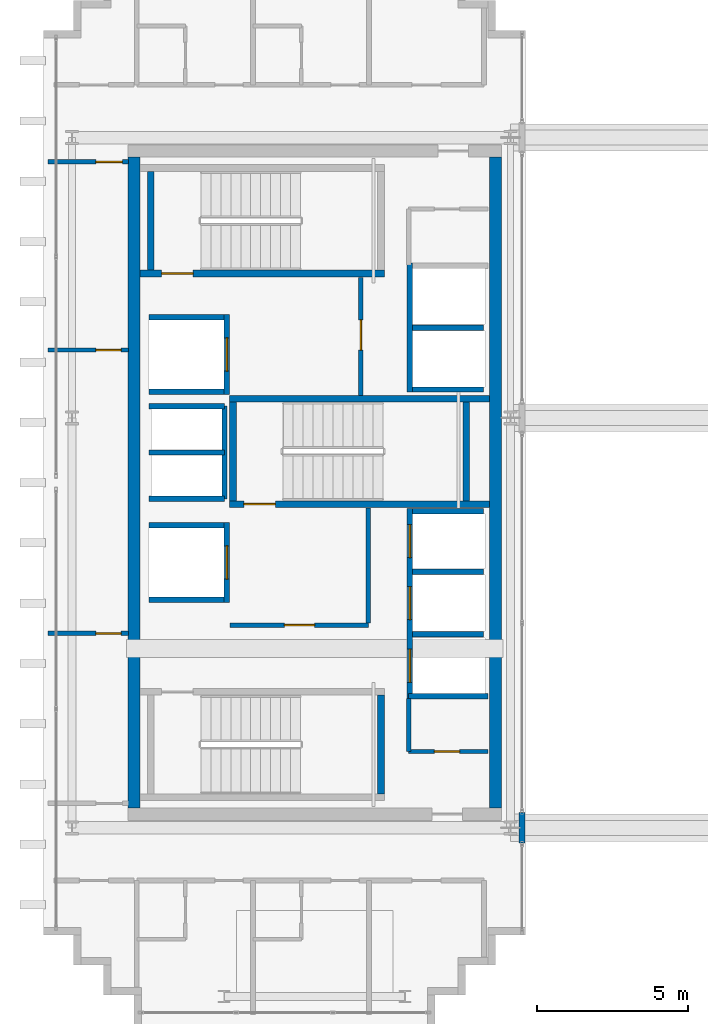
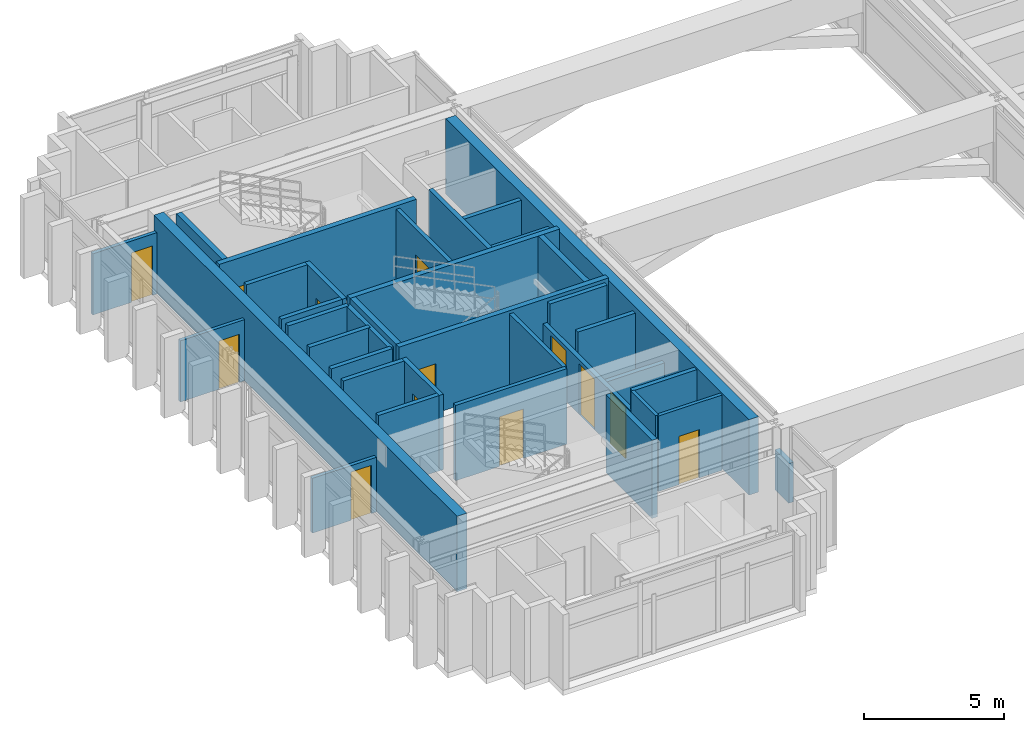
# One storey, part 23 of 28: 36 walls, 13 doors, 13 openings.
"""IFC4 building model written with IfcOpenShell, lengths in metres."""

import ifcopenshell
import ifcopenshell.guid

model = None  # the IFC model being written
_history = None  # IfcOwnerHistory: only IFC2X3 demands one
_inside = {}  # id of a spatial element -> (the spatial element, [elements in it])
_under = {}  # id of a project, library or spatial element -> (it, [spatial elements below it])
_declared = {}  # id of a project -> (the project, [libraries it declares])
_typed = {}  # id of a type object -> (the type object, [elements of that type])
_made_of = {}  # id of a material, layer set ... -> (it, [elements and type objects made of it])


def new_model(schema):
    """Start an empty IFC model of exactly this schema.

    Asked for "IFC4X3", IfcOpenShell would pick the latest addendum, in which some entities
    have other attributes; the version numbers below select the first issue.
    IFC2X3 requires an IfcOwnerHistory on every rooted entity: one is made here for all.
    """
    global model, _history
    if schema == "IFC4X3":
        model = ifcopenshell.file(schema_version=(4, 3, 0, 0))
    else:
        model = ifcopenshell.file(schema=schema)
    _inside.clear()
    _under.clear()
    _declared.clear()
    _typed.clear()
    _made_of.clear()
    _history = None
    if model.schema == "IFC2X3":
        org = make("IfcOrganization", Name="unknown")
        user = make(
            "IfcPersonAndOrganization",
            ThePerson=make("IfcPerson", FamilyName="unknown"),
            TheOrganization=org,
        )
        app = make(
            "IfcApplication",
            ApplicationDeveloper=org,
            Version="unknown",
            ApplicationFullName="unknown",
            ApplicationIdentifier="unknown",
        )
        _history = make(
            "IfcOwnerHistory",
            OwningUser=user,
            OwningApplication=app,
            ChangeAction="ADDED",
            CreationDate=0,
        )
    return model


def make(cls, **values):
    """One entity of the class cls with the attributes given. An attribute that is None is left unset."""
    return model.create_entity(
        cls, **{name: value for name, value in values.items() if value is not None}
    )


def rooted(cls, **values):
    """An entity with a GlobalId (a new one), such as an element, a storey or a relation."""
    return make(cls, GlobalId=ifcopenshell.guid.new(), OwnerHistory=_history, **values)


def si_unit(unit_type, name, prefix=None):
    """IfcSIUnit, for example si_unit("LENGTHUNIT", "METRE", prefix="MILLI")."""
    return make("IfcSIUnit", UnitType=unit_type, Prefix=prefix, Name=name)


def assignment(units):
    """IfcUnitAssignment: the units of a project."""
    return None if units is None else make("IfcUnitAssignment", Units=units)


def point(xyz):
    """IfcCartesianPoint."""
    return None if xyz is None else make("IfcCartesianPoint", Coordinates=xyz)


def direction(xyz):
    """IfcDirection."""
    return None if xyz is None else make("IfcDirection", DirectionRatios=xyz)


def frame(location, z_axis=None, x_axis=None):
    """IfcAxis2Placement3D, a coordinate frame: its origin and axes. An axis left out is left unset."""
    return make(
        "IfcAxis2Placement3D",
        Location=point(location),
        Axis=direction(z_axis),
        RefDirection=direction(x_axis),
    )


def frame_2d(location, x_axis=None):
    """IfcAxis2Placement2D, a coordinate frame in the plane: its origin and x axis."""
    return make(
        "IfcAxis2Placement2D", Location=point(location), RefDirection=direction(x_axis)
    )


def origin():
    """The frame at (0, 0, 0) with its axes left unset."""
    return frame((0.0, 0.0, 0.0))


def place(relative_to, where):
    """IfcLocalPlacement: puts the frame where relative to a parent placement (None: the world)."""
    return make(
        "IfcLocalPlacement", PlacementRelTo=relative_to, RelativePlacement=where
    )


def context(
    kind, dimensions, precision=None, world=None, true_north=None, identifier=None
):
    """IfcGeometricRepresentationContext, for example the 3D "Model" context."""
    return make(
        "IfcGeometricRepresentationContext",
        ContextIdentifier=identifier,
        ContextType=kind,
        CoordinateSpaceDimension=dimensions,
        Precision=precision,
        WorldCoordinateSystem=world,
        TrueNorth=true_north,
    )


def subcontext(parent, identifier, kind, view, scale=None):
    """IfcGeometricRepresentationSubContext, for example "Body" below "Model"."""
    return make(
        "IfcGeometricRepresentationSubContext",
        ContextIdentifier=identifier,
        ContextType=kind,
        ParentContext=parent,
        TargetScale=scale,
        TargetView=view,
    )


def project(units=None, contexts=None):
    """IfcProject with its units and contexts."""
    return rooted(
        "IfcProject",
        Name="project",
        RepresentationContexts=contexts,
        UnitsInContext=assignment(units),
    )


def spatial(cls, under=None, at=None, **own):
    """A site, building, storey or space (cls), placed at a placement, below another one or the project."""
    s = rooted(cls, ObjectPlacement=at, **own)
    if under is not None:
        _under.setdefault(under.id(), (under, []))[1].append(s)
    return s


def profile(cls, at=None, kind="AREA", **sizes):
    """A parametric profile (cls). Its sizes go by their IFC names, for example OverallWidth=200.0."""
    return make(cls, ProfileType=kind, Position=at, **sizes)


def rectangle(**sizes):
    """IfcRectangleProfileDef."""
    return profile("IfcRectangleProfileDef", **sizes)


def extrude(swept, where, along, depth):
    """IfcExtrudedAreaSolid: the profile swept, set in the frame where, extruded along a direction by depth."""
    return make(
        "IfcExtrudedAreaSolid",
        SweptArea=swept,
        Position=where,
        ExtrudedDirection=direction(along),
        Depth=depth,
    )


def shape(context_of_items, identifier, shape_type, items):
    """IfcShapeRepresentation: the items that make up one representation, for example the "Body"."""
    return make(
        "IfcShapeRepresentation",
        ContextOfItems=context_of_items,
        RepresentationIdentifier=identifier,
        RepresentationType=shape_type,
        Items=items,
    )


def source(mapping_origin, context_of_items, identifier, shape_type, items):
    """IfcRepresentationMap: a shape defined once, which mapped items show again and again."""
    return make(
        "IfcRepresentationMap",
        MappingOrigin=mapping_origin,
        MappedRepresentation=shape(context_of_items, identifier, shape_type, items),
    )


def transform(
    local_origin,
    x_axis=None,
    y_axis=None,
    z_axis=None,
    scale=None,
    scale2=None,
    scale3=None,
    uniform=True,
):
    """IfcCartesianTransformationOperator3D, or its non-uniform kind. x_axis, y_axis, z_axis: its Axis1, 2, 3."""
    if uniform:
        return make(
            "IfcCartesianTransformationOperator3D",
            Axis1=direction(x_axis),
            Axis2=direction(y_axis),
            LocalOrigin=point(local_origin),
            Scale=scale,
            Axis3=direction(z_axis),
        )
    return make(
        "IfcCartesianTransformationOperator3DnonUniform",
        Axis1=direction(x_axis),
        Axis2=direction(y_axis),
        LocalOrigin=point(local_origin),
        Scale=scale,
        Axis3=direction(z_axis),
        Scale2=scale2,
        Scale3=scale3,
    )


def mapped(mapping_source, mapping_target):
    """IfcMappedItem: shows the shape of a source again, moved by a transform."""
    return make(
        "IfcMappedItem", MappingSource=mapping_source, MappingTarget=mapping_target
    )


def material(Name=None, Category=None):
    """IfcMaterial."""
    return make("IfcMaterial", Name=Name, Category=Category)


def layer(
    of_material, thickness, ventilated=None, Name=None, Category=None, Priority=None
):
    """IfcMaterialLayer: one layer of a wall or slab, of a material (None: an air gap)."""
    return make(
        "IfcMaterialLayer",
        Material=of_material,
        LayerThickness=thickness,
        IsVentilated=ventilated,
        Name=Name,
        Category=Category,
        Priority=Priority,
    )


def layer_set(layers, Name=None):
    """IfcMaterialLayerSet."""
    return make("IfcMaterialLayerSet", MaterialLayers=layers, LayerSetName=Name)


def made_of(thing, what):
    """Note that an element or type object is made of a material, layer set ...; save() writes the relation."""
    if what is not None:
        _made_of.setdefault(what.id(), (what, []))[1].append(thing)
    return thing


def type_object(cls, material=None, **own):
    """A type object (cls), such as IfcWallType, which elements share."""
    return made_of(rooted(cls, **own), material)


def element(
    cls,
    number,
    at=None,
    inside=None,
    cuts=None,
    type_object=None,
    material=None,
    context=None,
    identifier="Body",
    shape_type=None,
    held_by="IfcProductDefinitionShape",
    body=None,
    shapes=None,
    **own,
):
    """One element of the class cls, such as IfcWall. Its Tag is "e" and its number.

    at: its placement. inside: the storey or other place that contains it. cuts: it is an
    opening in that element (IfcRelVoidsElement). A single representation is given by context,
    identifier, shape_type and body (its items); several are given by shapes. held_by: the class
    of the entity that holds the representations. save() writes the other relations.
    """
    e = rooted(cls, Tag="e%d" % number, ObjectPlacement=at, **own)
    if body is not None:
        shapes = [shape(context, identifier, shape_type, body)]
    if shapes is not None:
        e.Representation = make(held_by, Representations=shapes)
    if inside is not None:
        _inside.setdefault(inside.id(), (inside, []))[1].append(e)
    if cuts is not None:
        rooted(
            "IfcRelVoidsElement", RelatingBuildingElement=cuts, RelatedOpeningElement=e
        )
    if type_object is not None:
        _typed.setdefault(type_object.id(), (type_object, []))[1].append(e)
    return made_of(e, material)


def fill(opening, filler):
    """IfcRelFillsElement: the door or window that sits in an opening."""
    return rooted(
        "IfcRelFillsElement",
        RelatingOpeningElement=opening,
        RelatedBuildingElement=filler,
    )


def aggregate(whole, parts):
    """IfcRelAggregates: a whole, such as a stair, and the parts it consists of."""
    return rooted("IfcRelAggregates", RelatingObject=whole, RelatedObjects=parts)


def save(model, path):
    """Write the relations noted so far, then the file.

    IfcRelAggregates (storeys below a building ...), IfcRelContainedInSpatialStructure (elements
    in a storey), IfcRelDefinesByType, IfcRelAssociatesMaterial and IfcRelDeclares: one each for
    every whole, place, type object, material and project.
    """
    for whole, parts in _under.values():
        aggregate(whole, parts)
    for where, things in _inside.values():
        rooted(
            "IfcRelContainedInSpatialStructure",
            RelatedElements=things,
            RelatingStructure=where,
        )
    for kind, things in _typed.values():
        rooted("IfcRelDefinesByType", RelatedObjects=things, RelatingType=kind)
    for what, things in _made_of.values():
        rooted("IfcRelAssociatesMaterial", RelatedObjects=things, RelatingMaterial=what)
    for by, libraries in _declared.values():
        rooted("IfcRelDeclares", RelatingContext=by, RelatedDefinitions=libraries)
    model.write(path)


model = new_model("IFC4")

# Units and contexts
model_context = context("Model", 3, precision=1e-05, world=origin(), true_north=direction((0.0, 1.0)))
body_context = subcontext(model_context, "Body", "Model", "MODEL_VIEW")
ifc_project = project(units=[si_unit("LENGTHUNIT", "METRE"), si_unit("AREAUNIT", "SQUARE_METRE"), si_unit("VOLUMEUNIT", "CUBIC_METRE"), si_unit("PLANEANGLEUNIT", "RADIAN"), si_unit("MASSUNIT", "GRAM", prefix="KILO")], contexts=[model_context])

# Site, building, storey
site_placement = place(None, origin())
site = spatial("IfcSite", under=ifc_project, at=site_placement, CompositionType="ELEMENT")
building_placement = place(site_placement, origin())
building = spatial("IfcBuilding", under=site, at=building_placement, Name="Ocotamira Hotel", CompositionType="ELEMENT")
storey_placement = place(building_placement, frame((0.0, 0.0, 268.800048828125)))
storey = spatial("IfcBuildingStorey", under=building, at=storey_placement, Name="L68", CompositionType="ELEMENT", Elevation=268.800048828125)

# Walls
ifc_material_1 = material(Name="Concrete C50/60", Category="concrete")
ifc_layer_1 = layer(ifc_material_1, 0.39990234375)
ifc_layer_set_1 = layer_set([ifc_layer_1], Name="Concrete C50/60")
wall_type_1 = type_object("IfcWallType", Name="WL-CORE-400", PredefinedType="SHEAR", material=ifc_layer_set_1)
for number, where, z_axis, x_axis, name in (
    (1, (11.0, 15.199951171875, 0.0), (0.0, 0.0, 1.0), (0.0, 1.0, 0.0), "L68 Shear Core Wall WCORE-W"),
    (2, (23.0, 15.199951171875, 0.0), (0.0, 0.0, 1.0), (0.0, 1.0, 0.0), "L68 Shear Core Wall WCORE-E"),
):
    element("IfcWall", number, at=place(storey_placement, frame(where, z_axis=z_axis, x_axis=x_axis)), inside=storey, type_object=wall_type_1, Name=name, PredefinedType="SHEAR", context=body_context, shape_type="SweptSolid", body=[
        extrude(rectangle(XDim=21.60009765625, YDim=0.39990234375, at=frame_2d((10.800048828125, 0.0))), origin(), (0.0, 0.0, 1.0), 3.280029296875),
    ])

# Wall, opening, door
ifc_material_2 = material(Name="Acoustic double-layer fire gypsum board partition", Category="gypsum")
ifc_layer_2 = layer(ifc_material_2, 0.159912109375)
ifc_layer_set_2 = layer_set([ifc_layer_2], Name="Acoustic double-layer fire gypsum board partition")
wall_type_2 = type_object("IfcWallType", Name="WL-FIRE-160", PredefinedType="PARTITIONING", material=ifc_layer_set_2)
wall_1_placement = place(storey_placement, frame((14.199951171875, 21.27001953125, 0.0), z_axis=(0.0, 0.0, 1.0), x_axis=(1.0, 0.0, 0.0)))
wall_1 = element("IfcWall", 3, at=wall_1_placement, inside=storey, type_object=wall_type_2, Name="L68 Interior Wall PW-L68-FSAE1-S", PredefinedType="PARTITIONING", context=body_context, shape_type="SweptSolid", body=[
    extrude(rectangle(XDim=4.580078125, YDim=0.159912109375, at=frame_2d((2.2900390625, 0.0))), origin(), (0.0, 0.0, 1.0), 3.280029296875),
])
opening_1_placement = place(wall_1_placement, frame((1.800048828125, 0.0, 0.0)))
opening_1 = element("IfcOpeningElement", 4, at=opening_1_placement, cuts=wall_1, Name="Opening D-FR2", PredefinedType="OPENING", context=body_context, shape_type="SweptSolid", body=[
    extrude(rectangle(XDim=1.0, YDim=2.14990234375, at=frame_2d((0.5, 1.074951171875))), frame((0.0, 0.08984375, 0.0), z_axis=(0.0, -1.0, 0.0), x_axis=(1.0, 0.0, 0.0)), (0.0, 0.0, 1.0), 0.179931640625),
])
ifc_material_3 = material(Name="Fire-rated acoustic timber-veneer door", Category="wood")
door_type_1 = type_object("IfcDoorType", Name="DR-FIRE-1000", OperationType="NOTDEFINED", PredefinedType="DOOR", material=ifc_material_3)
shared_shape_1 = source(origin(), body_context, "Body", "SweptSolid", [
    extrude(rectangle(XDim=1.0, YDim=2.14990234375, at=frame_2d((0.5, 1.074951171875))), frame((0.0, 0.02490234375, 0.0), z_axis=(0.0, -1.0, 0.0), x_axis=(1.0, 0.0, 0.0)), (0.0, 0.0, 1.0), 0.050048828125),
])
door_1_placement = place(opening_1_placement, origin())
door_1 = element("IfcDoor", 5, at=door_1_placement, inside=storey, type_object=door_type_1, Name="L68 Door ID-L68-FSAE1-D [ID-L68-FSAE1-D]", OperationType="SINGLE_SWING_LEFT", OverallHeight=2.14990234375, OverallWidth=1.0, PredefinedType="DOOR", context=body_context, shape_type="MappedRepresentation", body=[
    mapped(shared_shape_1, transform((0.0, 0.0, 0.0), scale=1.0)),
])
fill(opening_1, door_1)

# Wall
wall_2_placement = place(storey_placement, frame((18.780029296875, 21.35009765625, 0.0), z_axis=(0.0, 0.0, 1.0), x_axis=(0.0, 1.0, 0.0)))
element("IfcWall", 6, at=wall_2_placement, inside=storey, type_object=wall_type_2, Name="L68 Interior Wall PW-L68-FSAE1-E", PredefinedType="PARTITIONING", context=body_context, shape_type="SweptSolid", body=[
    extrude(rectangle(XDim=3.809814453125, YDim=0.159912109375, at=frame_2d((1.90478515625, 0.0))), origin(), (0.0, 0.0, 1.0), 3.280029296875),
])

# Wall, opening, door
wall_3_placement = place(storey_placement, frame((18.530029296875, 28.89990234375, 0.0), z_axis=(0.0, 0.0, 1.0), x_axis=(0.0, 1.0, 0.0)))
wall_3 = element("IfcWall", 7, at=wall_3_placement, inside=storey, type_object=wall_type_2, Name="L68 Interior Wall PW-L68-FSAE2-E", PredefinedType="PARTITIONING", context=body_context, shape_type="SweptSolid", body=[
    extrude(rectangle(XDim=3.900146484375, YDim=0.159912109375, at=frame_2d((1.9501953125, 0.0))), origin(), (0.0, 0.0, 1.0), 3.280029296875),
])
opening_2_placement = place(wall_3_placement, frame((1.5, 0.0, 0.0)))
opening_2 = element("IfcOpeningElement", 8, at=opening_2_placement, cuts=wall_3, Name="Opening D-FR2", PredefinedType="OPENING", context=body_context, shape_type="SweptSolid", body=[
    extrude(rectangle(XDim=1.0, YDim=2.14990234375, at=frame_2d((0.5, 1.074951171875))), frame((0.0, 0.08984375, 0.0), z_axis=(0.0, -1.0, 0.0), x_axis=(1.0, 0.0, 0.0)), (0.0, 0.0, 1.0), 0.179931640625),
])
door_2_placement = place(opening_2_placement, origin())
door_2 = element("IfcDoor", 9, at=door_2_placement, inside=storey, type_object=door_type_1, Name="L68 Door ID-L68-FSAE2-D [ID-L68-FSAE2-D]", OperationType="SINGLE_SWING_RIGHT", OverallHeight=2.14990234375, OverallWidth=1.0, PredefinedType="DOOR", context=body_context, shape_type="MappedRepresentation", body=[
    mapped(shared_shape_1, transform((0.0, 0.0, 0.0), scale=1.0)),
])
fill(opening_2, door_2)

# Walls
ifc_material_4 = material(Name="Precast concrete C45/55", Category="concrete")
ifc_layer_3 = layer(ifc_material_4, 0.219970703125)
ifc_layer_set_3 = layer_set([ifc_layer_3], Name="Precast concrete C45/55")
wall_type_3 = type_object("IfcWallType", Name="WL-PARA-220", PredefinedType="PARAPET", material=ifc_layer_set_3)
wall_4_placement = place(storey_placement, frame((23.8798828125, 14.050048828125, 0.0), z_axis=(0.0, 0.0, 1.0), x_axis=(0.0, 1.0, 0.0)))
element("IfcWall", 10, at=wall_4_placement, inside=storey, type_object=wall_type_3, Name="L68 Split-Wing Column Spandrel Closure W1", PredefinedType="PARAPET", context=body_context, shape_type="SweptSolid", body=[
    extrude(rectangle(XDim=1.0, YDim=0.199951171875, at=frame_2d((0.5, 0.0))), origin(), (0.0, 0.0, 1.0), 1.72998046875),
])
ifc_material_5 = material(Name="Acoustic hospitality gypsum board partition", Category="gypsum")
ifc_layer_4 = layer(ifc_material_5, 0.14208984375)
ifc_layer_set_4 = layer_set([ifc_layer_4], Name="Acoustic hospitality gypsum board partition")
wall_type_4 = type_object("IfcWallType", Name="WL-PART-142", PredefinedType="PARTITIONING", material=ifc_layer_set_4)
wall_5_placement = place(storey_placement, frame((20.1201171875, 17.080078125, 0.0), z_axis=(0.0, 0.0, 1.0), x_axis=(0.0, 1.0, 0.0)))
element("IfcWall", 11, at=wall_5_placement, inside=storey, type_object=wall_type_4, Name="L68 Interior Wall PW-L68-WC-SE-W2", PredefinedType="PARTITIONING", context=body_context, shape_type="SweptSolid", body=[
    extrude(rectangle(XDim=1.760009765625, YDim=0.14208984375, at=frame_2d((0.8798828125, 0.0))), origin(), (0.0, 0.0, 1.0), 3.280029296875),
])

# Wall, opening, door
wall_6_placement = place(storey_placement, frame((20.1201171875, 17.080078125, 0.0), z_axis=(0.0, 0.0, 1.0), x_axis=(1.0, 0.0, 0.0)))
wall_6 = element("IfcWall", 12, at=wall_6_placement, inside=storey, type_object=wall_type_4, Name="L68 Interior Wall PW-L68-WC-SE-S2", PredefinedType="PARTITIONING", context=body_context, shape_type="SweptSolid", body=[
    extrude(rectangle(XDim=2.6298828125, YDim=0.14208984375, at=frame_2d((1.31494140625, 0.0))), origin(), (0.0, 0.0, 1.0), 3.280029296875),
])
opening_3_placement = place(wall_6_placement, frame((0.85009765625, 0.0, 0.0)))
opening_3 = element("IfcOpeningElement", 13, at=opening_3_placement, cuts=wall_6, Name="Opening D-SV1", PredefinedType="OPENING", context=body_context, shape_type="SweptSolid", body=[
    extrude(rectangle(XDim=0.840087890625, YDim=2.10009765625, at=frame_2d((0.419921875, 1.050048828125))), frame((0.0, 0.0810546875, 0.0), z_axis=(0.0, -1.0, 0.0), x_axis=(1.0, 0.0, 0.0)), (0.0, 0.0, 1.0), 0.162109375),
])
ifc_material_6 = material(Name="Fire-rated painted steel service door", Category="steel")
door_type_2 = type_object("IfcDoorType", Name="DR-SERV-840", OperationType="NOTDEFINED", PredefinedType="DOOR", material=ifc_material_6)
shared_shape_2 = source(origin(), body_context, "Body", "SweptSolid", [
    extrude(rectangle(XDim=0.840087890625, YDim=2.10009765625, at=frame_2d((0.419921875, 1.050048828125))), frame((0.0, 0.02490234375, 0.0), z_axis=(0.0, -1.0, 0.0), x_axis=(1.0, 0.0, 0.0)), (0.0, 0.0, 1.0), 0.050048828125),
])
door_3_placement = place(opening_3_placement, origin())
door_3 = element("IfcDoor", 14, at=door_3_placement, inside=storey, type_object=door_type_2, Name="L68 Door ID-L68-WC-SE-D2 [ID-L68-WC-SE-D2]", OperationType="SINGLE_SWING_LEFT", OverallHeight=2.10009765625, OverallWidth=0.840087890625, PredefinedType="DOOR", context=body_context, shape_type="MappedRepresentation", body=[
    mapped(shared_shape_2, transform((0.0, 0.0, 0.0), scale=1.0)),
])
fill(opening_3, door_3)

wall_7_placement = place(storey_placement, frame((8.159912109375, 21.0, 0.0), z_axis=(0.0, 0.0, 1.0), x_axis=(1.0, 0.0, 0.0)))
wall_7 = element("IfcWall", 15, at=wall_7_placement, inside=storey, type_object=wall_type_4, Name="L68 Interior Wall PW-L68-SP2W-DV1", PredefinedType="PARTITIONING", context=body_context, shape_type="SweptSolid", body=[
    extrude(rectangle(XDim=2.66015625, YDim=0.14208984375, at=frame_2d((1.330078125, 0.0))), origin(), (0.0, 0.0, 1.0), 2.3798828125),
])
opening_4_placement = place(wall_7_placement, frame((1.580078125, 0.0, 0.0)))
opening_4 = element("IfcOpeningElement", 16, at=opening_4_placement, cuts=wall_7, Name="Opening D-SV1", PredefinedType="OPENING", context=body_context, shape_type="SweptSolid", body=[
    extrude(rectangle(XDim=0.840087890625, YDim=2.10009765625, at=frame_2d((0.419921875, 1.050048828125))), frame((0.0, 0.0810546875, 0.0), z_axis=(0.0, -1.0, 0.0), x_axis=(1.0, 0.0, 0.0)), (0.0, 0.0, 1.0), 0.162109375),
])
door_4_placement = place(opening_4_placement, origin())
door_4 = element("IfcDoor", 17, at=door_4_placement, inside=storey, type_object=door_type_2, Name="L68 Door ID-L68-SP2W-DV1D [ID-L68-SP2W-DV1D]", OperationType="SINGLE_SWING_LEFT", OverallHeight=2.10009765625, OverallWidth=0.840087890625, PredefinedType="DOOR", context=body_context, shape_type="MappedRepresentation", body=[
    mapped(shared_shape_2, transform((0.0, 0.0, 0.0), scale=1.0)),
])
fill(opening_4, door_4)

wall_8_placement = place(storey_placement, frame((8.159912109375, 30.39990234375, 0.0), z_axis=(0.0, 0.0, 1.0), x_axis=(1.0, 0.0, 0.0)))
wall_8 = element("IfcWall", 18, at=wall_8_placement, inside=storey, type_object=wall_type_4, Name="L68 Interior Wall PW-L68-SP2W-DV2", PredefinedType="PARTITIONING", context=body_context, shape_type="SweptSolid", body=[
    extrude(rectangle(XDim=2.66015625, YDim=0.14208984375, at=frame_2d((1.330078125, 0.0))), origin(), (0.0, 0.0, 1.0), 2.662841796875),
])
opening_5_placement = place(wall_8_placement, frame((1.580078125, 0.0, 0.0)))
opening_5 = element("IfcOpeningElement", 19, at=opening_5_placement, cuts=wall_8, Name="Opening D-SV1", PredefinedType="OPENING", context=body_context, shape_type="SweptSolid", body=[
    extrude(rectangle(XDim=0.840087890625, YDim=2.10009765625, at=frame_2d((0.419921875, 1.050048828125))), frame((0.0, 0.0810546875, 0.0), z_axis=(0.0, -1.0, 0.0), x_axis=(1.0, 0.0, 0.0)), (0.0, 0.0, 1.0), 0.162109375),
])
door_5_placement = place(opening_5_placement, origin())
door_5 = element("IfcDoor", 20, at=door_5_placement, inside=storey, type_object=door_type_2, Name="L68 Door ID-L68-SP2W-DV2D [ID-L68-SP2W-DV2D]", OperationType="SINGLE_SWING_RIGHT", OverallHeight=2.10009765625, OverallWidth=0.840087890625, PredefinedType="DOOR", context=body_context, shape_type="MappedRepresentation", body=[
    mapped(shared_shape_2, transform((0.0, 0.0, 0.0), scale=1.0)),
])
fill(opening_5, door_5)

ifc_layer_5 = layer(ifc_material_5, 0.14990234375)
ifc_layer_set_5 = layer_set([ifc_layer_5], Name="Acoustic hospitality gypsum board partition")
wall_type_5 = type_object("IfcWallType", Name="WL-PART-150", PredefinedType="PARTITIONING", material=ifc_layer_set_5)
wall_9_placement = place(storey_placement, frame((8.159912109375, 36.639892578125, 0.0), z_axis=(0.0, 0.0, 1.0), x_axis=(1.0, 0.0, 0.0)))
wall_9 = element("IfcWall", 21, at=wall_9_placement, inside=storey, type_object=wall_type_5, Name="L68 Interior Wall PW-L68-SP2W-WN", PredefinedType="PARTITIONING", context=body_context, shape_type="SweptSolid", body=[
    extrude(rectangle(XDim=2.66015625, YDim=0.14990234375, at=frame_2d((1.330078125, 0.0))), origin(), (0.0, 0.0, 1.0), 2.662841796875),
])
opening_6_placement = place(wall_9_placement, frame((1.580078125, 0.0, 0.0)))
opening_6 = element("IfcOpeningElement", 22, at=opening_6_placement, cuts=wall_9, Name="Opening D-SV2", PredefinedType="OPENING", context=body_context, shape_type="SweptSolid", body=[
    extrude(rectangle(XDim=0.8798828125, YDim=2.14990234375, at=frame_2d((0.43994140625, 1.074951171875))), frame((0.0, 0.0849609375, 0.0), z_axis=(0.0, -1.0, 0.0), x_axis=(1.0, 0.0, 0.0)), (0.0, 0.0, 1.0), 0.169921875),
])
door_type_3 = type_object("IfcDoorType", Name="DR-SERV-880", OperationType="NOTDEFINED", PredefinedType="DOOR", material=ifc_material_6)
shared_shape_3 = source(origin(), body_context, "Body", "SweptSolid", [
    extrude(rectangle(XDim=0.8798828125, YDim=2.14990234375, at=frame_2d((0.43994140625, 1.074951171875))), frame((0.0, 0.02490234375, 0.0), z_axis=(0.0, -1.0, 0.0), x_axis=(1.0, 0.0, 0.0)), (0.0, 0.0, 1.0), 0.050048828125),
])
door_6_placement = place(opening_6_placement, origin())
door_6 = element("IfcDoor", 23, at=door_6_placement, inside=storey, type_object=door_type_3, Name="L68 Door ID-L68-SP2W-DN [ID-L68-SP2W-DN]", OperationType="SINGLE_SWING_RIGHT", OverallHeight=2.14990234375, OverallWidth=0.8798828125, PredefinedType="DOOR", context=body_context, shape_type="MappedRepresentation", body=[
    mapped(shared_shape_3, transform((0.0, 0.0, 0.0), scale=1.0)),
])
fill(opening_6, door_6)

# Wall, openings, doors
ifc_material_7 = material(Name="Fire-rated gypsum shaftliner board assembly", Category="gypsum")
ifc_layer_6 = layer(ifc_material_7, 0.179931640625)
ifc_layer_set_6 = layer_set([ifc_layer_6], Name="Fire-rated gypsum shaftliner board assembly")
wall_type_6 = type_object("IfcWallType", Name="WL-SHAFT-180", PredefinedType="SOLIDWALL", material=ifc_layer_set_6)
wall_10_placement = place(storey_placement, frame((20.159912109375, 18.820068359375, 0.0), z_axis=(0.0, 0.0, 1.0), x_axis=(0.0, 1.0, 0.0)))
wall_10 = element("IfcWall", 24, at=wall_10_placement, inside=storey, type_object=wall_type_6, Name="L68 Interior Wall PW-L68-LFW-BANK-high-F", PredefinedType="SOLIDWALL", context=body_context, shape_type="SweptSolid", body=[
    extrude(rectangle(XDim=6.31982421875, YDim=0.179931640625, at=frame_2d((3.159912109375, 0.0))), origin(), (0.0, 0.0, 1.0), 2.3798828125),
])
opening_7_placement = place(wall_10_placement, frame((0.554931640625, 0.0, 0.0)))
opening_7 = element("IfcOpeningElement", 25, at=opening_7_placement, cuts=wall_10, Name="Opening LD-LF-P7", PredefinedType="OPENING", context=body_context, shape_type="SweptSolid", body=[
    extrude(rectangle(XDim=1.10009765625, YDim=2.199951171875, at=frame_2d((0.550048828125, 1.10009765625))), frame((0.0, 0.10009765625, 0.0), z_axis=(0.0, -1.0, 0.0), x_axis=(1.0, 0.0, 0.0)), (0.0, 0.0, 1.0), 0.199951171875),
])
opening_8_placement = place(wall_10_placement, frame((2.635009765625, 0.0, 0.0)))
opening_8 = element("IfcOpeningElement", 26, at=opening_8_placement, cuts=wall_10, Name="Opening LD-LF-P8", PredefinedType="OPENING", context=body_context, shape_type="SweptSolid", body=[
    extrude(rectangle(XDim=1.10009765625, YDim=2.199951171875, at=frame_2d((0.550048828125, 1.10009765625))), frame((0.0, 0.10009765625, 0.0), z_axis=(0.0, -1.0, 0.0), x_axis=(1.0, 0.0, 0.0)), (0.0, 0.0, 1.0), 0.199951171875),
])
opening_9_placement = place(wall_10_placement, frame((4.68994140625, 0.0, 0.0)))
opening_9 = element("IfcOpeningElement", 27, at=opening_9_placement, cuts=wall_10, Name="Opening LD-LF-P9", PredefinedType="OPENING", context=body_context, shape_type="SweptSolid", body=[
    extrude(rectangle(XDim=1.10009765625, YDim=2.199951171875, at=frame_2d((0.550048828125, 1.10009765625))), frame((0.0, 0.10009765625, 0.0), z_axis=(0.0, -1.0, 0.0), x_axis=(1.0, 0.0, 0.0)), (0.0, 0.0, 1.0), 0.199951171875),
])
ifc_material_8 = material(Name="Brushed pale-metal stainless elevator landing door", Category="steel")
door_type_4 = type_object("IfcDoorType", Name="DR-LIFT-1100", OperationType="NOTDEFINED", PredefinedType="DOOR", material=ifc_material_8)
shared_shape_4 = source(origin(), body_context, "Body", "SweptSolid", [
    extrude(rectangle(XDim=1.10009765625, YDim=2.199951171875, at=frame_2d((0.550048828125, 1.10009765625))), frame((0.0, 0.02490234375, 0.0), z_axis=(0.0, -1.0, 0.0), x_axis=(1.0, 0.0, 0.0)), (0.0, 0.0, 1.0), 0.050048828125),
])
door_7_placement = place(opening_7_placement, origin())
door_7 = element("IfcDoor", 28, at=door_7_placement, inside=storey, type_object=door_type_4, Name="L68 Landing Door LD-LF-P7 [ID-L68-LD-LF-P7]", OperationType="DOUBLE_DOOR_SLIDING", OverallHeight=2.199951171875, OverallWidth=1.10009765625, PredefinedType="DOOR", context=body_context, shape_type="MappedRepresentation", body=[
    mapped(shared_shape_4, transform((0.0, 0.0, 0.0), scale=1.0)),
])
fill(opening_7, door_7)
door_8_placement = place(opening_8_placement, origin())
door_8 = element("IfcDoor", 29, at=door_8_placement, inside=storey, type_object=door_type_4, Name="L68 Landing Door LD-LF-P8 [ID-L68-LD-LF-P8]", OperationType="DOUBLE_DOOR_SLIDING", OverallHeight=2.199951171875, OverallWidth=1.10009765625, PredefinedType="DOOR", context=body_context, shape_type="MappedRepresentation", body=[
    mapped(shared_shape_4, transform((0.0, 0.0, 0.0), scale=1.0)),
])
fill(opening_8, door_8)
door_9_placement = place(opening_9_placement, origin())
door_9 = element("IfcDoor", 30, at=door_9_placement, inside=storey, type_object=door_type_4, Name="L68 Landing Door LD-LF-P9 [ID-L68-LD-LF-P9]", OperationType="DOUBLE_DOOR_SLIDING", OverallHeight=2.199951171875, OverallWidth=1.10009765625, PredefinedType="DOOR", context=body_context, shape_type="MappedRepresentation", body=[
    mapped(shared_shape_4, transform((0.0, 0.0, 0.0), scale=1.0)),
])
fill(opening_9, door_9)

# Walls
wall_11_placement = place(storey_placement, frame((20.1201171875, 18.909912109375, 0.0), z_axis=(0.0, 0.0, 1.0), x_axis=(1.0, 0.0, 0.0)))
element("IfcWall", 31, at=wall_11_placement, inside=storey, type_object=wall_type_6, Name="L68 Interior Wall PW-L68-LFW-BANK-high-S", PredefinedType="SOLIDWALL", context=body_context, shape_type="SweptSolid", body=[
    extrude(rectangle(XDim=2.6298828125, YDim=0.179931640625, at=frame_2d((1.31494140625, 0.0))), origin(), (0.0, 0.0, 1.0), 3.280029296875),
])
wall_12_placement = place(storey_placement, frame((20.25, 25.050048828125, 0.0), z_axis=(0.0, 0.0, 1.0), x_axis=(1.0, 0.0, 0.0)))
element("IfcWall", 32, at=wall_12_placement, inside=storey, type_object=wall_type_6, Name="L68 Interior Wall PW-L68-LFW-BANK-high-N", PredefinedType="SOLIDWALL", context=body_context, shape_type="SweptSolid", body=[
    extrude(rectangle(XDim=2.360107421875, YDim=0.179931640625, at=frame_2d((1.18017578125, 0.0))), origin(), (0.0, 0.0, 1.0), 3.280029296875),
])
wall_13_placement = place(storey_placement, frame((20.25, 20.965087890625, 0.0), z_axis=(0.0, 0.0, 1.0), x_axis=(1.0, 0.0, 0.0)))
element("IfcWall", 33, at=wall_13_placement, inside=storey, type_object=wall_type_6, Name="L68 Interior Wall PW-L68-LFW-DIV-LF-P7", PredefinedType="SOLIDWALL", context=body_context, shape_type="SweptSolid", body=[
    extrude(rectangle(XDim=2.360107421875, YDim=0.179931640625, at=frame_2d((1.18017578125, 0.0))), origin(), (0.0, 0.0, 1.0), 2.3798828125),
])
wall_14_placement = place(storey_placement, frame((20.25, 23.044921875, 0.0), z_axis=(0.0, 0.0, 1.0), x_axis=(1.0, 0.0, 0.0)))
element("IfcWall", 34, at=wall_14_placement, inside=storey, type_object=wall_type_6, Name="L68 Interior Wall PW-L68-LFW-DIV-LF-P8", PredefinedType="SOLIDWALL", context=body_context, shape_type="SweptSolid", body=[
    extrude(rectangle(XDim=2.360107421875, YDim=0.179931640625, at=frame_2d((1.18017578125, 0.0))), origin(), (0.0, 0.0, 1.0), 3.280029296875),
])
wall_15_placement = place(storey_placement, frame((20.159912109375, 29.0, 0.0), z_axis=(0.0, 0.0, 1.0), x_axis=(0.0, 1.0, 0.0)))
element("IfcWall", 35, at=wall_15_placement, inside=storey, type_object=wall_type_6, Name="L68 Interior Wall PW-L68-LFW-BANK-obs-F", PredefinedType="SOLIDWALL", context=body_context, shape_type="SweptSolid", body=[
    extrude(rectangle(XDim=4.2900390625, YDim=0.179931640625, at=frame_2d((2.14501953125, 0.0))), origin(), (0.0, 0.0, 1.0), 3.280029296875),
])
for number, where, z_axis, x_axis, name in (
    (36, (20.25, 29.090087890625, 0.0), (0.0, 0.0, 1.0), (1.0, 0.0, 0.0), "L68 Interior Wall PW-L68-LFW-BANK-obs-S"),
    (37, (20.25, 31.14501953125, 0.0), (0.0, 0.0, 1.0), (1.0, 0.0, 0.0), "L68 Interior Wall PW-L68-LFW-DIV-LF-OBS1"),
):
    element("IfcWall", number, at=place(storey_placement, frame(where, z_axis=z_axis, x_axis=x_axis)), inside=storey, type_object=wall_type_6, Name=name, PredefinedType="SOLIDWALL", context=body_context, shape_type="SweptSolid", body=[
        extrude(rectangle(XDim=2.360107421875, YDim=0.179931640625, at=frame_2d((1.18017578125, 0.0))), origin(), (0.0, 0.0, 1.0), 3.280029296875),
    ])
for number, where, z_axis, x_axis, name in (
    (38, (11.5, 22.110107421875, 0.0), (0.0, 0.0, 1.0), (1.0, 0.0, 0.0), "L68 Interior Wall PW-L68-LFW-LF-FSAE1-S"),
    (39, (11.5, 24.590087890625, 0.0), (0.0, 0.0, 1.0), (1.0, 0.0, 0.0), "L68 Interior Wall PW-L68-LFW-LF-FSAE1-N"),
):
    element("IfcWall", number, at=place(storey_placement, frame(where, z_axis=z_axis, x_axis=x_axis)), inside=storey, type_object=wall_type_6, Name=name, PredefinedType="SOLIDWALL", context=body_context, shape_type="SweptSolid", body=[
        extrude(rectangle(XDim=2.5, YDim=0.179931640625, at=frame_2d((1.25, 0.0))), origin(), (0.0, 0.0, 1.0), 3.280029296875),
    ])

# Wall, opening, door
wall_16_placement = place(storey_placement, frame((14.090087890625, 22.02001953125, 0.0), z_axis=(0.0, 0.0, 1.0), x_axis=(0.0, 1.0, 0.0)))
wall_16 = element("IfcWall", 40, at=wall_16_placement, inside=storey, type_object=wall_type_6, Name="L68 Interior Wall PW-L68-LFW-LF-FSAE1-E", PredefinedType="SOLIDWALL", context=body_context, shape_type="SweptSolid", body=[
    extrude(rectangle(XDim=2.659912109375, YDim=0.179931640625, at=frame_2d((1.330078125, 0.0))), origin(), (0.0, 0.0, 1.0), 3.280029296875),
])
opening_10_placement = place(wall_16_placement, frame((0.780029296875, 0.0, 0.0)))
opening_10 = element("IfcOpeningElement", 41, at=opening_10_placement, cuts=wall_16, Name="Opening LD-LF-FSAE1", PredefinedType="OPENING", context=body_context, shape_type="SweptSolid", body=[
    extrude(rectangle(XDim=1.10009765625, YDim=2.199951171875, at=frame_2d((0.550048828125, 1.10009765625))), frame((0.0, 0.10009765625, 0.0), z_axis=(0.0, -1.0, 0.0), x_axis=(1.0, 0.0, 0.0)), (0.0, 0.0, 1.0), 0.199951171875),
])
door_10_placement = place(opening_10_placement, origin())
door_10 = element("IfcDoor", 42, at=door_10_placement, inside=storey, type_object=door_type_4, Name="L68 Landing Door LD-LF-FSAE1 [ID-L68-LD-LF-FSAE1]", OperationType="DOUBLE_DOOR_SLIDING", OverallHeight=2.199951171875, OverallWidth=1.10009765625, PredefinedType="DOOR", context=body_context, shape_type="MappedRepresentation", body=[
    mapped(shared_shape_4, transform((0.0, 0.0, 0.0), scale=1.0)),
])
fill(opening_10, door_10)

# Walls
for number, where, z_axis, x_axis, name in (
    (43, (11.5, 29.010009765625, 0.0), (0.0, 0.0, 1.0), (1.0, 0.0, 0.0), "L68 Interior Wall PW-L68-LFW-LF-FSAE2-S"),
    (44, (11.5, 31.489990234375, 0.0), (0.0, 0.0, 1.0), (1.0, 0.0, 0.0), "L68 Interior Wall PW-L68-LFW-LF-FSAE2-N"),
):
    element("IfcWall", number, at=place(storey_placement, frame(where, z_axis=z_axis, x_axis=x_axis)), inside=storey, type_object=wall_type_6, Name=name, PredefinedType="SOLIDWALL", context=body_context, shape_type="SweptSolid", body=[
        extrude(rectangle(XDim=2.5, YDim=0.179931640625, at=frame_2d((1.25, 0.0))), origin(), (0.0, 0.0, 1.0), 3.280029296875),
    ])

# Wall, opening, door
wall_17_placement = place(storey_placement, frame((14.090087890625, 28.919921875, 0.0), z_axis=(0.0, 0.0, 1.0), x_axis=(0.0, 1.0, 0.0)))
wall_17 = element("IfcWall", 45, at=wall_17_placement, inside=storey, type_object=wall_type_6, Name="L68 Interior Wall PW-L68-LFW-LF-FSAE2-E", PredefinedType="SOLIDWALL", context=body_context, shape_type="SweptSolid", body=[
    extrude(rectangle(XDim=2.66015625, YDim=0.179931640625, at=frame_2d((1.330078125, 0.0))), origin(), (0.0, 0.0, 1.0), 3.280029296875),
])
opening_11_placement = place(wall_17_placement, frame((0.780029296875, 0.0, 0.0)))
opening_11 = element("IfcOpeningElement", 46, at=opening_11_placement, cuts=wall_17, Name="Opening LD-LF-FSAE2", PredefinedType="OPENING", context=body_context, shape_type="SweptSolid", body=[
    extrude(rectangle(XDim=1.10009765625, YDim=2.199951171875, at=frame_2d((0.550048828125, 1.10009765625))), frame((0.0, 0.10009765625, 0.0), z_axis=(0.0, -1.0, 0.0), x_axis=(1.0, 0.0, 0.0)), (0.0, 0.0, 1.0), 0.199951171875),
])
door_11_placement = place(opening_11_placement, origin())
door_11 = element("IfcDoor", 47, at=door_11_placement, inside=storey, type_object=door_type_4, Name="L68 Landing Door LD-LF-FSAE2 [ID-L68-LD-LF-FSAE2]", OperationType="DOUBLE_DOOR_SLIDING", OverallHeight=2.199951171875, OverallWidth=1.10009765625, PredefinedType="DOOR", context=body_context, shape_type="MappedRepresentation", body=[
    mapped(shared_shape_4, transform((0.0, 0.0, 0.0), scale=1.0)),
])
fill(opening_11, door_11)

# Walls
for number, where, z_axis, x_axis, name in (
    (48, (11.5, 25.4599609375, 0.0), (0.0, 0.0, 1.0), (1.0, 0.0, 0.0), "L68 Interior Wall PW-L68-RSW-S"),
    (49, (11.5, 27.0, 0.0), (0.0, 0.0, 1.0), (1.0, 0.0, 0.0), "L68 Interior Wall PW-L68-RSW-MID"),
    (50, (11.5, 28.5400390625, 0.0), (0.0, 0.0, 1.0), (1.0, 0.0, 0.0), "L68 Interior Wall PW-L68-RSW-N"),
):
    element("IfcWall", number, at=place(storey_placement, frame(where, z_axis=z_axis, x_axis=x_axis)), inside=storey, type_object=wall_type_6, Name=name, PredefinedType="SOLIDWALL", context=body_context, shape_type="SweptSolid", body=[
        extrude(rectangle(XDim=2.510009765625, YDim=0.179931640625, at=frame_2d((1.2548828125, 0.0))), origin(), (0.0, 0.0, 1.0), 3.280029296875),
    ])
wall_18_placement = place(storey_placement, frame((14.010009765625, 25.4599609375, 0.0), z_axis=(0.0, 0.0, 1.0), x_axis=(0.0, 1.0, 0.0)))
element("IfcWall", 51, at=wall_18_placement, inside=storey, type_object=wall_type_6, Name="L68 Interior Wall PW-L68-RSW-E", PredefinedType="SOLIDWALL", context=body_context, shape_type="SweptSolid", body=[
    extrude(rectangle(XDim=3.080078125, YDim=0.179931640625, at=frame_2d((1.5400390625, 0.0))), origin(), (0.0, 0.0, 1.0), 3.280029296875),
])
ifc_layer_7 = layer(ifc_material_1, 0.219970703125)
ifc_layer_set_7 = layer_set([ifc_layer_7], Name="Concrete C50/60")
wall_type_7 = type_object("IfcWallType", Name="WL-STAIR-220", PredefinedType="SHEAR", material=ifc_layer_set_7)
wall_19_placement = place(storey_placement, frame((19.199951171875, 15.669921875, 0.0), z_axis=(0.0, 0.0, 1.0), x_axis=(0.0, 1.0, 0.0)))
element("IfcWall", 52, at=wall_19_placement, inside=storey, type_object=wall_type_7, Name="L68 Stair Shaft Structural Wall ST-1-E", PredefinedType="SHEAR", context=body_context, shape_type="SweptSolid", body=[
    extrude(rectangle(XDim=3.280029296875, YDim=0.219970703125, at=frame_2d((1.64013671875, 0.0))), origin(), (0.0, 0.0, 1.0), 3.39990234375),
])

# Wall, opening, door
wall_20_placement = place(storey_placement, frame((11.199951171875, 32.93994140625, 0.0), z_axis=(0.0, 0.0, 1.0), x_axis=(1.0, 0.0, 0.0)))
wall_20 = element("IfcWall", 53, at=wall_20_placement, inside=storey, type_object=wall_type_7, Name="L68 Stair Shaft Structural Wall ST-2-S", PredefinedType="SHEAR", context=body_context, shape_type="SweptSolid", body=[
    extrude(rectangle(XDim=8.110107421875, YDim=0.219970703125, at=frame_2d((4.05517578125, 0.0))), origin(), (0.0, 0.0, 1.0), 3.39990234375),
])
opening_12_placement = place(wall_20_placement, frame((0.719970703125, 0.0, 0.0)))
opening_12 = element("IfcOpeningElement", 54, at=opening_12_placement, cuts=wall_20, Name="Opening D-ST2", PredefinedType="OPENING", context=body_context, shape_type="SweptSolid", body=[
    extrude(rectangle(XDim=1.050048828125, YDim=2.14990234375, at=frame_2d((0.52490234375, 1.074951171875))), frame((0.0, 0.1201171875, 0.0), z_axis=(0.0, -1.0, 0.0), x_axis=(1.0, 0.0, 0.0)), (0.0, 0.0, 1.0), 0.239990234375),
])
ifc_material_9 = material(Name="Insulated painted hollow-metal fire exit door", Category="steel")
door_type_5 = type_object("IfcDoorType", Name="DR-STAIR-1050", OperationType="NOTDEFINED", PredefinedType="DOOR", material=ifc_material_9)
shared_shape_5 = source(origin(), body_context, "Body", "SweptSolid", [
    extrude(rectangle(XDim=1.050048828125, YDim=2.14990234375, at=frame_2d((0.52490234375, 1.074951171875))), frame((0.0, 0.02490234375, 0.0), z_axis=(0.0, -1.0, 0.0), x_axis=(1.0, 0.0, 0.0)), (0.0, 0.0, 1.0), 0.050048828125),
])
door_12_placement = place(opening_12_placement, origin())
door_12 = element("IfcDoor", 55, at=door_12_placement, inside=storey, type_object=door_type_5, Name="L68 Door ID-L68-STD-ST-2 [ID-L68-STD-ST-2]", OperationType="SINGLE_SWING_RIGHT", OverallHeight=2.14990234375, OverallWidth=1.050048828125, PredefinedType="DOOR", context=body_context, shape_type="MappedRepresentation", body=[
    mapped(shared_shape_5, transform((0.0, 0.0, 0.0), scale=1.0)),
])
fill(opening_12, door_12)

# Wall
wall_21_placement = place(storey_placement, frame((11.56005859375, 33.050048828125, 0.0), z_axis=(0.0, 0.0, 1.0), x_axis=(0.0, 1.0, 0.0)))
element("IfcWall", 56, at=wall_21_placement, inside=storey, type_object=wall_type_7, Name="L68 Stair Shaft Structural Wall ST-2-W", PredefinedType="SHEAR", context=body_context, shape_type="SweptSolid", body=[
    extrude(rectangle(XDim=3.280029296875, YDim=0.219970703125, at=frame_2d((1.64013671875, 0.0))), origin(), (0.0, 0.0, 1.0), 3.39990234375),
])

# Wall, opening, door
wall_22_placement = place(storey_placement, frame((14.179931640625, 25.2900390625, 0.0), z_axis=(0.0, 0.0, 1.0), x_axis=(1.0, 0.0, 0.0)))
wall_22 = element("IfcWall", 57, at=wall_22_placement, inside=storey, type_object=wall_type_7, Name="L68 Stair Shaft Structural Wall ST-3-S", PredefinedType="SHEAR", context=body_context, shape_type="SweptSolid", body=[
    extrude(rectangle(XDim=8.6201171875, YDim=0.219970703125, at=frame_2d((4.31005859375, 0.0))), origin(), (0.0, 0.0, 1.0), 3.39990234375),
])
opening_13_placement = place(wall_22_placement, frame((0.469970703125, 0.0, 0.0)))
opening_13 = element("IfcOpeningElement", 58, at=opening_13_placement, cuts=wall_22, Name="Opening D-ST2", PredefinedType="OPENING", context=body_context, shape_type="SweptSolid", body=[
    extrude(rectangle(XDim=1.050048828125, YDim=2.14990234375, at=frame_2d((0.52490234375, 1.074951171875))), frame((0.0, 0.1201171875, 0.0), z_axis=(0.0, -1.0, 0.0), x_axis=(1.0, 0.0, 0.0)), (0.0, 0.0, 1.0), 0.239990234375),
])
door_13_placement = place(opening_13_placement, origin())
door_13 = element("IfcDoor", 59, at=door_13_placement, inside=storey, type_object=door_type_5, Name="L68 Door ID-L68-STD-ST-3 [ID-L68-STD-ST-3]", OperationType="SINGLE_SWING_LEFT", OverallHeight=2.14990234375, OverallWidth=1.050048828125, PredefinedType="DOOR", context=body_context, shape_type="MappedRepresentation", body=[
    mapped(shared_shape_5, transform((0.0, 0.0, 0.0), scale=1.0)),
])
fill(opening_13, door_13)

# Walls
wall_23_placement = place(storey_placement, frame((14.179931640625, 28.7900390625, 0.0), z_axis=(0.0, 0.0, 1.0), x_axis=(1.0, 0.0, 0.0)))
element("IfcWall", 60, at=wall_23_placement, inside=storey, type_object=wall_type_7, Name="L68 Stair Shaft Structural Wall ST-3-N", PredefinedType="SHEAR", context=body_context, shape_type="SweptSolid", body=[
    extrude(rectangle(XDim=8.6201171875, YDim=0.219970703125, at=frame_2d((4.31005859375, 0.0))), origin(), (0.0, 0.0, 1.0), 3.39990234375),
])
for number, where, z_axis, x_axis, name in (
    (61, (14.2900390625, 25.39990234375, 0.0), (0.0, 0.0, 1.0), (0.0, 1.0, 0.0), "L68 Stair Shaft Structural Wall ST-3-W"),
    (62, (22.030029296875, 25.39990234375, 0.0), (0.0, 0.0, 1.0), (0.0, 1.0, 0.0), "L68 Stair Shaft Structural Wall ST-3-E"),
):
    element("IfcWall", number, at=place(storey_placement, frame(where, z_axis=z_axis, x_axis=x_axis)), inside=storey, type_object=wall_type_7, Name=name, PredefinedType="SHEAR", context=body_context, shape_type="SweptSolid", body=[
        extrude(rectangle(XDim=3.280029296875, YDim=0.219970703125, at=frame_2d((1.64013671875, 0.0))), origin(), (0.0, 0.0, 1.0), 3.39990234375),
    ])

save(model, "model.ifc")
